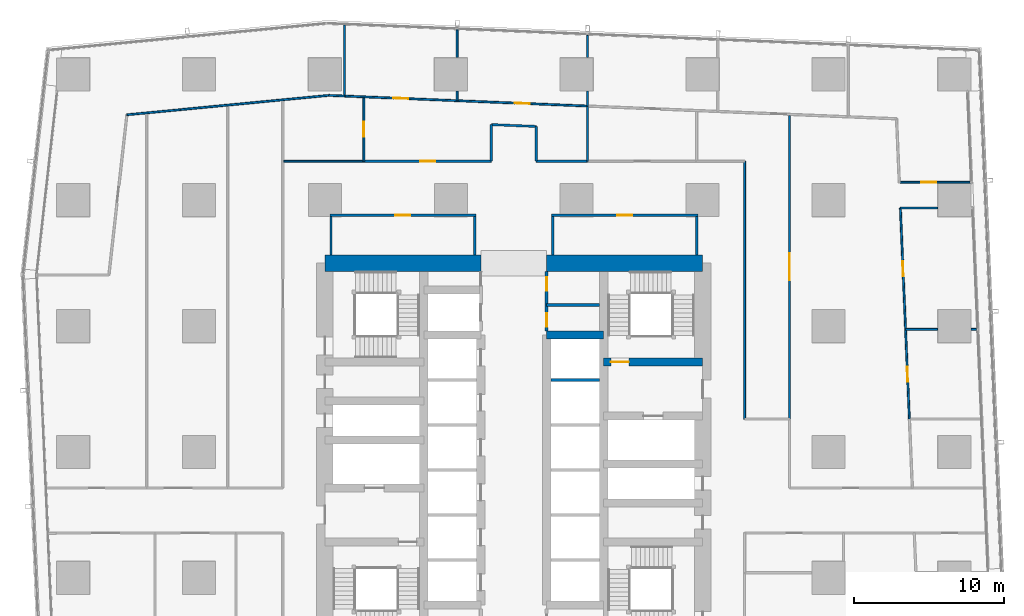
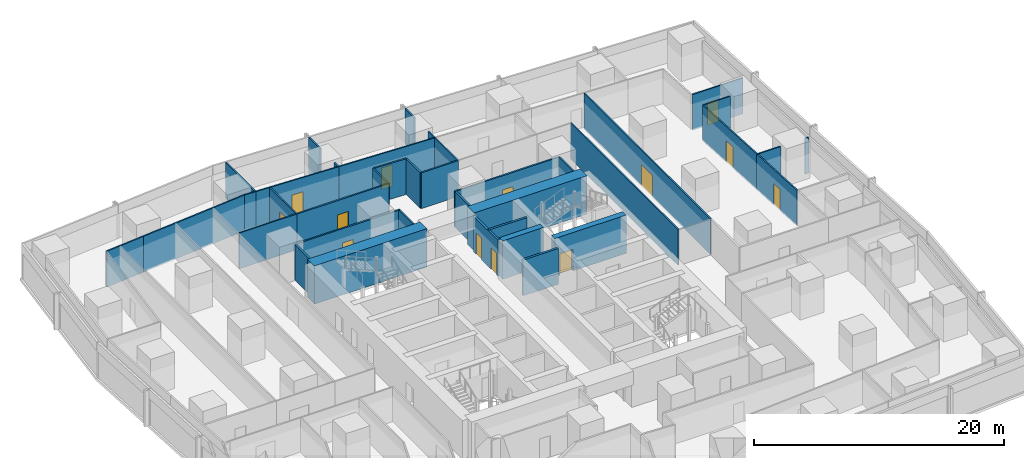
# One storey, part 34 of 44: 39 walls, 13 doors, 13 openings.
"""IFC4 building model written with IfcOpenShell, lengths in metres."""

from ifc_helpers import new_model, si_unit, direction, frame, frame_2d, origin, place, context, subcontext, project, spatial, rectangle, extrude, material, layer, layer_set, type_object, element, fill, save


model = new_model("IFC4")

# Units and contexts
model_context = context("Model", 3, precision=1e-05, world=origin(), true_north=direction((0.0, 1.0)))
body_context = subcontext(model_context, "Body", "Model", "MODEL_VIEW")
ifc_project = project(units=[si_unit("LENGTHUNIT", "METRE"), si_unit("AREAUNIT", "SQUARE_METRE"), si_unit("VOLUMEUNIT", "CUBIC_METRE"), si_unit("PLANEANGLEUNIT", "RADIAN"), si_unit("MASSUNIT", "GRAM", prefix="KILO")], contexts=[model_context])

# Site, building, storey
site_placement = place(None, origin())
site = spatial("IfcSite", under=ifc_project, at=site_placement, CompositionType="ELEMENT")
building_placement = place(site_placement, origin())
building = spatial("IfcBuilding", under=site, at=building_placement, Name="Rekha Terrace Tower", CompositionType="ELEMENT")
storey_placement = place(building_placement, frame((0.0, 0.0, 51.64990234375)))
storey = spatial("IfcBuildingStorey", under=building, at=storey_placement, Name="L12", CompositionType="ELEMENT", Elevation=51.64990234375)

# Wall
ifc_material_1 = material(Name="Concrete M70", Category="concrete")
ifc_layer_1 = layer(ifc_material_1, 0.550048828125)
ifc_layer_set_1 = layer_set([ifc_layer_1], Name="Concrete M70")
wall_type_1 = type_object("IfcWallType", Name="CI1 550 core internal shear wall", PredefinedType="SHEAR", material=ifc_layer_set_1)
wall_1_placement = place(storey_placement, frame((40.0, 41.39990234375, 0.0), z_axis=(0.0, 0.0, 1.0), x_axis=(1.0, 0.0, 0.0)))
element("IfcWall", 1, at=wall_1_placement, inside=storey, type_object=wall_type_1, Name="Core wall Y414E L12", PredefinedType="SHEAR", context=body_context, shape_type="SweptSolid", body=[
    extrude(rectangle(XDim=3.800048828125, YDim=0.550048828125, at=frame_2d((1.89990234375, 0.0))), origin(), (0.0, 0.0, 1.0), 3.75),
])

# Wall, opening, door
wall_2_placement = place(storey_placement, frame((43.800048828125, 39.60009765625, 0.0), z_axis=(0.0, 0.0, 1.0), x_axis=(1.0, 0.0, 0.0)))
wall_2 = element("IfcWall", 2, at=wall_2_placement, inside=storey, type_object=wall_type_1, Name="Core wall Y396E L12", PredefinedType="SHEAR", context=body_context, shape_type="SweptSolid", body=[
    extrude(rectangle(XDim=6.599853515625, YDim=0.550048828125, at=frame_2d((3.2998046875, 0.0))), origin(), (0.0, 0.0, 1.0), 3.75),
])
opening_1_placement = place(wall_2_placement, frame((0.47509765625, 0.0, 0.0)))
opening_1 = element("IfcOpeningElement", 3, at=opening_1_placement, cuts=wall_2, Name="Opening D1", PredefinedType="OPENING", context=body_context, shape_type="SweptSolid", body=[
    extrude(rectangle(XDim=1.199951171875, YDim=2.10009765625, at=frame_2d((0.60009765625, 1.050048828125))), frame((0.0, 0.284912109375, 0.0), z_axis=(0.0, -1.0, 0.0), x_axis=(1.0, 0.0, 0.0)), (0.0, 0.0, 1.0), 0.570068359375),
])
ifc_material_2 = material(Name="Steel fire door", Category="steel")
door_type_1 = type_object("IfcDoorType", Name="D1 1200x2100 stair fire door", OperationType="SINGLE_SWING_RIGHT", PredefinedType="DOOR", material=ifc_material_2)
door_1_placement = place(opening_1_placement, origin())
door_1 = element("IfcDoor", 4, at=door_1_placement, inside=storey, type_object=door_type_1, Name="Stair ST2 door L12", OperationType="SINGLE_SWING_RIGHT", OverallHeight=2.10009765625, OverallWidth=1.199951171875, PredefinedType="DOOR", context=body_context, shape_type="SweptSolid", body=[
    extrude(rectangle(XDim=1.199951171875, YDim=2.10009765625, at=frame_2d((0.60009765625, 1.050048828125))), frame((0.0, 0.02490234375, 0.0), z_axis=(0.0, -1.0, 0.0), x_axis=(1.0, 0.0, 0.0)), (0.0, 0.0, 1.0), 0.050048828125),
])
fill(opening_1, door_1)

# Walls
ifc_layer_2 = layer(ifc_material_1, 1.10009765625)
ifc_layer_set_2 = layer_set([ifc_layer_2], Name="Concrete M70")
wall_type_2 = type_object("IfcWallType", Name="SW1 1100 core outer shear wall", PredefinedType="SHEAR", material=ifc_layer_set_2)
wall_3_placement = place(storey_placement, frame((25.199951171875, 46.199951171875, 0.0), z_axis=(0.0, 0.0, 1.0), x_axis=(1.0, 0.0, 0.0)))
element("IfcWall", 5, at=wall_3_placement, inside=storey, type_object=wall_type_2, Name="Core wall N1 L12", PredefinedType="SHEAR", context=body_context, shape_type="SweptSolid", body=[
    extrude(rectangle(XDim=10.400146484375, YDim=1.10009765625, at=frame_2d((5.2001953125, 0.0))), origin(), (0.0, 0.0, 1.0), 3.75),
])
wall_4_placement = place(storey_placement, frame((40.0, 46.199951171875, 0.0), z_axis=(0.0, 0.0, 1.0), x_axis=(1.0, 0.0, 0.0)))
element("IfcWall", 6, at=wall_4_placement, inside=storey, type_object=wall_type_2, Name="Core wall N2 L12", PredefinedType="SHEAR", context=body_context, shape_type="SweptSolid", body=[
    extrude(rectangle(XDim=10.39990234375, YDim=1.10009765625, at=frame_2d((5.199951171875, 0.0))), origin(), (0.0, 0.0, 1.0), 3.75),
])

# Wall, opening, door
ifc_material_3 = material(Name="Concrete block masonry, 1 hour", Category="masonry")
ifc_layer_3 = layer(ifc_material_3, 0.14990234375)
ifc_layer_set_3 = layer_set([ifc_layer_3], Name="Concrete block masonry, 1 hour")
wall_type_3 = type_object("IfcWallType", Name="WP2 150 tenancy partition", PredefinedType="PARTITIONING", material=ifc_layer_set_3)
wall_5_placement = place(storey_placement, frame((40.324951171875, 49.39990234375, 0.0), z_axis=(0.0, 0.0, 1.0), x_axis=(1.0, 0.0, 0.0)))
wall_5 = element("IfcWall", 7, at=wall_5_placement, inside=storey, type_object=wall_type_3, Name="Women's WC wall L12", PredefinedType="PARTITIONING", context=body_context, shape_type="SweptSolid", body=[
    extrude(rectangle(XDim=9.75, YDim=0.14990234375, at=frame_2d((4.875, 0.0))), origin(), (0.0, 0.0, 1.0), 3.5),
])
opening_2_placement = place(wall_5_placement, frame((4.375, 0.0, 0.0)))
opening_2 = element("IfcOpeningElement", 8, at=opening_2_placement, cuts=wall_5, Name="Opening D3", PredefinedType="OPENING", context=body_context, shape_type="SweptSolid", body=[
    extrude(rectangle(XDim=1.0, YDim=2.10009765625, at=frame_2d((0.5, 1.050048828125))), frame((0.0, 0.0849609375, 0.0), z_axis=(0.0, -1.0, 0.0), x_axis=(1.0, 0.0, 0.0)), (0.0, 0.0, 1.0), 0.169921875),
])
ifc_material_4 = material(Name="Laminated timber fire door", Category="wood")
door_type_2 = type_object("IfcDoorType", Name="D3 1000x2100 WC door", OperationType="SINGLE_SWING_LEFT", PredefinedType="DOOR", material=ifc_material_4)
door_2_placement = place(opening_2_placement, origin())
door_2 = element("IfcDoor", 9, at=door_2_placement, inside=storey, type_object=door_type_2, Name="Door women's wc L12", OperationType="SINGLE_SWING_LEFT", OverallHeight=2.10009765625, OverallWidth=1.0, PredefinedType="DOOR", context=body_context, shape_type="SweptSolid", body=[
    extrude(rectangle(XDim=1.0, YDim=2.10009765625, at=frame_2d((0.5, 1.050048828125))), frame((0.0, 0.02490234375, 0.0), z_axis=(0.0, -1.0, 0.0), x_axis=(1.0, 0.0, 0.0)), (0.0, 0.0, 1.0), 0.050048828125),
])
fill(opening_2, door_2)

# Walls
for number, where, z_axis, x_axis, name in (
    (10, (40.39990234375, 46.75, 0.0), (0.0, 0.0, 1.0), (0.0, 1.0, 0.0), "Women's WC wall L12"),
    (11, (50.0, 46.75, 0.0), (0.0, 0.0, 1.0), (0.0, 1.0, 0.0), "Women's WC wall L12"),
):
    element("IfcWall", number, at=place(storey_placement, frame(where, z_axis=z_axis, x_axis=x_axis)), inside=storey, type_object=wall_type_3, Name=name, PredefinedType="PARTITIONING", context=body_context, shape_type="SweptSolid", body=[
        extrude(rectangle(XDim=2.574951171875, YDim=0.14990234375, at=frame_2d((1.28759765625, 0.0))), origin(), (0.0, 0.0, 1.0), 3.5),
    ])

# Wall, opening, door
wall_6_placement = place(storey_placement, frame((25.52490234375, 49.39990234375, 0.0), z_axis=(0.0, 0.0, 1.0), x_axis=(1.0, 0.0, 0.0)))
wall_6 = element("IfcWall", 12, at=wall_6_placement, inside=storey, type_object=wall_type_3, Name="Women's WC wall L12", PredefinedType="PARTITIONING", context=body_context, shape_type="SweptSolid", body=[
    extrude(rectangle(XDim=9.75, YDim=0.14990234375, at=frame_2d((4.875, 0.0))), origin(), (0.0, 0.0, 1.0), 3.5),
])
opening_3_placement = place(wall_6_placement, frame((4.375, 0.0, 0.0)))
opening_3 = element("IfcOpeningElement", 13, at=opening_3_placement, cuts=wall_6, Name="Opening D3", PredefinedType="OPENING", context=body_context, shape_type="SweptSolid", body=[
    extrude(rectangle(XDim=1.0, YDim=2.10009765625, at=frame_2d((0.5, 1.050048828125))), frame((0.0, 0.0849609375, 0.0), z_axis=(0.0, -1.0, 0.0), x_axis=(1.0, 0.0, 0.0)), (0.0, 0.0, 1.0), 0.169921875),
])
door_3_placement = place(opening_3_placement, origin())
door_3 = element("IfcDoor", 14, at=door_3_placement, inside=storey, type_object=door_type_2, Name="Door women's wc L12", OperationType="SINGLE_SWING_LEFT", OverallHeight=2.10009765625, OverallWidth=1.0, PredefinedType="DOOR", context=body_context, shape_type="SweptSolid", body=[
    extrude(rectangle(XDim=1.0, YDim=2.10009765625, at=frame_2d((0.5, 1.050048828125))), frame((0.0, 0.02490234375, 0.0), z_axis=(0.0, -1.0, 0.0), x_axis=(1.0, 0.0, 0.0)), (0.0, 0.0, 1.0), 0.050048828125),
])
fill(opening_3, door_3)

# Walls
for number, where, z_axis, x_axis, name in (
    (15, (25.60009765625, 46.75, 0.0), (0.0, 0.0, 1.0), (0.0, 1.0, 0.0), "Women's WC wall L12"),
    (16, (35.199951171875, 46.75, 0.0), (0.0, 0.0, 1.0), (0.0, 1.0, 0.0), "Women's WC wall L12"),
):
    element("IfcWall", number, at=place(storey_placement, frame(where, z_axis=z_axis, x_axis=x_axis)), inside=storey, type_object=wall_type_3, Name=name, PredefinedType="PARTITIONING", context=body_context, shape_type="SweptSolid", body=[
        extrude(rectangle(XDim=2.574951171875, YDim=0.14990234375, at=frame_2d((1.28759765625, 0.0))), origin(), (0.0, 0.0, 1.0), 3.5),
    ])
wall_7_placement = place(storey_placement, frame((42.718017578125, 53.0, 0.0), z_axis=(0.0, 0.0, 1.0), x_axis=(-1.0, 0.0, 0.0)))
element("IfcWall", 17, at=wall_7_placement, inside=storey, type_object=wall_type_3, Name="Partition L12-O4", PredefinedType="PARTITIONING", context=body_context, shape_type="SweptSolid", body=[
    extrude(rectangle(XDim=3.41796875, YDim=0.14990234375, at=frame_2d((1.708984375, 0.0))), origin(), (0.0, 0.0, 1.0), 3.5),
])
wall_8_placement = place(storey_placement, frame((39.300048828125, 53.0, 0.0), z_axis=(0.0, 0.0, 1.0), x_axis=(0.0, 1.0, 0.0)))
element("IfcWall", 18, at=wall_8_placement, inside=storey, type_object=wall_type_3, Name="Partition L12-O4", PredefinedType="PARTITIONING", context=body_context, shape_type="SweptSolid", body=[
    extrude(rectangle(XDim=2.319091796875, YDim=0.14990234375, at=frame_2d((1.15966796875, 0.0))), origin(), (0.0, 0.0, 1.0), 3.5),
])
wall_9_placement = place(storey_placement, frame((39.300048828125, 55.319091796875, 0.0), z_axis=(0.0, 0.0, 1.0), x_axis=(-0.999163245212, 0.040899992866, 0.0)))
element("IfcWall", 19, at=wall_9_placement, inside=storey, type_object=wall_type_3, Name="Partition L12-O4", PredefinedType="PARTITIONING", context=body_context, shape_type="SweptSolid", body=[
    extrude(rectangle(XDim=3.00244140625, YDim=0.14990234375, at=frame_2d((1.501220703125, 0.0))), origin(), (0.0, 0.0, 1.0), 3.5),
])
wall_10_placement = place(storey_placement, frame((36.300048828125, 55.44189453125, 0.0), z_axis=(0.0, 0.0, 1.0), x_axis=(0.0, -1.0, 0.0)))
element("IfcWall", 20, at=wall_10_placement, inside=storey, type_object=wall_type_3, Name="Partition L12-O4", PredefinedType="PARTITIONING", context=body_context, shape_type="SweptSolid", body=[
    extrude(rectangle(XDim=2.44189453125, YDim=0.14990234375, at=frame_2d((1.220947265625, 0.0))), origin(), (0.0, 0.0, 1.0), 3.5),
])

# Wall, opening, door
wall_11_placement = place(storey_placement, frame((36.300048828125, 53.0, 0.0), z_axis=(0.0, 0.0, 1.0), x_axis=(-1.0, 0.0, 0.0)))
wall_11 = element("IfcWall", 21, at=wall_11_placement, inside=storey, type_object=wall_type_3, Name="Partition L12-O4", PredefinedType="PARTITIONING", context=body_context, shape_type="SweptSolid", body=[
    extrude(rectangle(XDim=8.5, YDim=0.14990234375, at=frame_2d((4.25, 0.0))), origin(), (0.0, 0.0, 1.0), 3.5),
])
opening_4_placement = place(wall_11_placement, frame((3.75, 0.0, 0.0)))
opening_4 = element("IfcOpeningElement", 22, at=opening_4_placement, cuts=wall_11, Name="Opening D9", PredefinedType="OPENING", context=body_context, shape_type="SweptSolid", body=[
    extrude(rectangle(XDim=1.0, YDim=2.10009765625, at=frame_2d((0.5, 1.050048828125))), frame((0.0, 0.0849609375, 0.0), z_axis=(0.0, -1.0, 0.0), x_axis=(1.0, 0.0, 0.0)), (0.0, 0.0, 1.0), 0.169921875),
])
ifc_material_5 = material(Name="Timber fire door", Category="wood")
door_type_3 = type_object("IfcDoorType", Name="D9 1000x2100 office door", OperationType="SINGLE_SWING_LEFT", PredefinedType="DOOR", material=ifc_material_5)
door_4_placement = place(opening_4_placement, origin())
door_4 = element("IfcDoor", 23, at=door_4_placement, inside=storey, type_object=door_type_3, Name="Door open-plan office L12", OperationType="SINGLE_SWING_LEFT", OverallHeight=2.10009765625, OverallWidth=1.0, PredefinedType="DOOR", context=body_context, shape_type="SweptSolid", body=[
    extrude(rectangle(XDim=1.0, YDim=2.10009765625, at=frame_2d((0.5, 1.050048828125))), frame((0.0, 0.02490234375, 0.0), z_axis=(0.0, -1.0, 0.0), x_axis=(1.0, 0.0, 0.0)), (0.0, 0.0, 1.0), 0.050048828125),
])
fill(opening_4, door_4)

ifc_material_6 = material(Name="Two layers of fire-rated gypsum board each side on steel studs, acoustic quilt, 1 hour", Category="steel")
ifc_layer_4 = layer(ifc_material_6, 0.125)
ifc_layer_set_4 = layer_set([ifc_layer_4], Name="Two layers of fire-rated gypsum board each side on steel studs, acoustic quilt, 1 hour")
wall_type_4 = type_object("IfcWallType", Name="WP3 125 office partition", PredefinedType="PARTITIONING", material=ifc_layer_set_4)
wall_12_placement = place(storey_placement, frame((64.194091796875, 35.800048828125, 0.0), z_axis=(0.0, 0.0, 1.0), x_axis=(-0.042617787761, 0.999091449351, 0.0)))
wall_12 = element("IfcWall", 24, at=wall_12_placement, inside=storey, type_object=wall_type_4, Name="Partition L12-07", PredefinedType="PARTITIONING", context=body_context, shape_type="SweptSolid", body=[
    extrude(rectangle(XDim=5.986328125, YDim=0.125, at=frame_2d((2.9931640625, 0.0))), origin(), (0.0, 0.0, 1.0), 3.5),
])
opening_5_placement = place(wall_12_placement, frame((2.492919921875, 0.0, 0.0)))
opening_5 = element("IfcOpeningElement", 25, at=opening_5_placement, cuts=wall_12, Name="Opening D9", PredefinedType="OPENING", context=body_context, shape_type="SweptSolid", body=[
    extrude(rectangle(XDim=1.0, YDim=2.10009765625, at=frame_2d((0.5, 1.050048828125))), frame((0.0, 0.072509765625, 0.0), z_axis=(0.0, -1.0, 0.0), x_axis=(1.0, 0.0, 0.0)), (0.0, 0.0, 1.0), 0.14501953125),
])
door_5_placement = place(opening_5_placement, origin())
door_5 = element("IfcDoor", 26, at=door_5_placement, inside=storey, type_object=door_type_3, Name="Door office L12", OperationType="SINGLE_SWING_LEFT", OverallHeight=2.10009765625, OverallWidth=1.0, PredefinedType="DOOR", context=body_context, shape_type="SweptSolid", body=[
    extrude(rectangle(XDim=1.0, YDim=2.10009765625, at=frame_2d((0.5, 1.050048828125))), frame((0.0, 0.02490234375, 0.0), z_axis=(0.0, -1.0, 0.0), x_axis=(1.0, 0.0, 0.0)), (0.0, 0.0, 1.0), 0.050048828125),
])
fill(opening_5, door_5)

# Walls
wall_13_placement = place(storey_placement, frame((63.93896484375, 41.781005859375, 0.0), z_axis=(0.0, 0.0, 1.0), x_axis=(1.0, 0.0, 0.0)))
element("IfcWall", 27, at=wall_13_placement, inside=storey, type_object=wall_type_4, Name="Partition L12-07", PredefinedType="PARTITIONING", context=body_context, shape_type="SweptSolid", body=[
    extrude(rectangle(XDim=2.14111328125, YDim=0.125, at=frame_2d((1.070556640625, 0.0))), origin(), (0.0, 0.0, 1.0), 3.5),
])
wall_14_placement = place(storey_placement, frame((68.320068359375, 41.781005859375, 0.0), z_axis=(0.0, 0.0, 1.0), x_axis=(1.0, 0.0, 0.0)))
element("IfcWall", 28, at=wall_14_placement, inside=storey, type_object=wall_type_4, Name="Partition L12-07", PredefinedType="PARTITIONING", context=body_context, shape_type="SweptSolid", body=[
    extrude(rectangle(XDim=0.343017578125, YDim=0.125, at=frame_2d((0.17138671875, 0.0))), origin(), (0.0, 0.0, 1.0), 3.5),
])

# Wall, opening, door
wall_15_placement = place(storey_placement, frame((63.93896484375, 41.781982421875, 0.0), z_axis=(0.0, 0.0, 1.0), x_axis=(-0.042686820675, 0.999088502256, 0.0)))
wall_15 = element("IfcWall", 29, at=wall_15_placement, inside=storey, type_object=wall_type_4, Name="Partition L12-08", PredefinedType="PARTITIONING", context=body_context, shape_type="SweptSolid", body=[
    extrude(rectangle(XDim=8.104248046875, YDim=0.125, at=frame_2d((4.05224609375, 0.0))), origin(), (0.0, 0.0, 1.0), 3.5),
])
opening_6_placement = place(wall_15_placement, frame((3.552001953125, 0.0, 0.0)))
opening_6 = element("IfcOpeningElement", 30, at=opening_6_placement, cuts=wall_15, Name="Opening D9", PredefinedType="OPENING", context=body_context, shape_type="SweptSolid", body=[
    extrude(rectangle(XDim=1.0, YDim=2.10009765625, at=frame_2d((0.5, 1.050048828125))), frame((0.0, 0.072509765625, 0.0), z_axis=(0.0, -1.0, 0.0), x_axis=(1.0, 0.0, 0.0)), (0.0, 0.0, 1.0), 0.14501953125),
])
door_6_placement = place(opening_6_placement, origin())
door_6 = element("IfcDoor", 31, at=door_6_placement, inside=storey, type_object=door_type_3, Name="Door office L12", OperationType="SINGLE_SWING_LEFT", OverallHeight=2.10009765625, OverallWidth=1.0, PredefinedType="DOOR", context=body_context, shape_type="SweptSolid", body=[
    extrude(rectangle(XDim=1.0, YDim=2.10009765625, at=frame_2d((0.5, 1.050048828125))), frame((0.0, 0.02490234375, 0.0), z_axis=(0.0, -1.0, 0.0), x_axis=(1.0, 0.0, 0.0)), (0.0, 0.0, 1.0), 0.050048828125),
])
fill(opening_6, door_6)

# Wall
wall_16_placement = place(storey_placement, frame((63.593017578125, 49.87890625, 0.0), z_axis=(0.0, 0.0, 1.0), x_axis=(1.0, 0.0, 0.0)))
element("IfcWall", 32, at=wall_16_placement, inside=storey, type_object=wall_type_4, Name="Partition L12-08", PredefinedType="PARTITIONING", context=body_context, shape_type="SweptSolid", body=[
    extrude(rectangle(XDim=2.487060546875, YDim=0.125, at=frame_2d((1.24365234375, 0.0))), origin(), (0.0, 0.0, 1.0), 3.5),
])

# Wall, opening, door
wall_17_placement = place(storey_placement, frame((68.243896484375, 51.593017578125, 0.0), z_axis=(0.0, 0.0, 1.0), x_axis=(-1.0, 0.0, 0.0)))
wall_17 = element("IfcWall", 33, at=wall_17_placement, inside=storey, type_object=wall_type_4, Name="Partition L12-09", PredefinedType="PARTITIONING", context=body_context, shape_type="SweptSolid", body=[
    extrude(rectangle(XDim=4.661865234375, YDim=0.125, at=frame_2d((2.3310546875, 0.0))), origin(), (0.0, 0.0, 1.0), 3.5),
])
opening_7_placement = place(wall_17_placement, frame((2.260986328125, 0.0, 0.0)))
opening_7 = element("IfcOpeningElement", 34, at=opening_7_placement, cuts=wall_17, Name="Opening D9", PredefinedType="OPENING", context=body_context, shape_type="SweptSolid", body=[
    extrude(rectangle(XDim=1.0, YDim=2.10009765625, at=frame_2d((0.5, 1.050048828125))), frame((0.0, 0.072509765625, 0.0), z_axis=(0.0, -1.0, 0.0), x_axis=(1.0, 0.0, 0.0)), (0.0, 0.0, 1.0), 0.14501953125),
])
door_7_placement = place(opening_7_placement, origin())
door_7 = element("IfcDoor", 35, at=door_7_placement, inside=storey, type_object=door_type_3, Name="Door director's office L12", OperationType="SINGLE_SWING_LEFT", OverallHeight=2.10009765625, OverallWidth=1.0, PredefinedType="DOOR", context=body_context, shape_type="SweptSolid", body=[
    extrude(rectangle(XDim=1.0, YDim=2.10009765625, at=frame_2d((0.5, 1.050048828125))), frame((0.0, 0.02490234375, 0.0), z_axis=(0.0, -1.0, 0.0), x_axis=(1.0, 0.0, 0.0)), (0.0, 0.0, 1.0), 0.050048828125),
])
fill(opening_7, door_7)

# Walls
wall_18_placement = place(storey_placement, frame((42.718994140625, 56.678955078125, 0.0), z_axis=(0.0, 0.0, 1.0), x_axis=(0.0, 1.0, 0.0)))
element("IfcWall", 36, at=wall_18_placement, inside=storey, type_object=wall_type_4, Name="Partition L12-11", PredefinedType="PARTITIONING", context=body_context, shape_type="SweptSolid", body=[
    extrude(rectangle(XDim=1.0009765625, YDim=0.125, at=frame_2d((0.50048828125, 0.0))), origin(), (0.0, 0.0, 1.0), 3.5),
])
wall_19_placement = place(storey_placement, frame((42.718994140625, 59.919921875, 0.0), z_axis=(0.0, 0.0, 1.0), x_axis=(0.0, 1.0, 0.0)))
element("IfcWall", 37, at=wall_19_placement, inside=storey, type_object=wall_type_4, Name="Partition L12-11", PredefinedType="PARTITIONING", context=body_context, shape_type="SweptSolid", body=[
    extrude(rectangle(XDim=1.483154296875, YDim=0.125, at=frame_2d((0.74169921875, 0.0))), origin(), (0.0, 0.0, 1.0), 3.5),
])
wall_20_placement = place(storey_placement, frame((42.718994140625, 53.0, 0.0), z_axis=(0.0, 0.0, 1.0), x_axis=(0.0, 1.0, 0.0)))
element("IfcWall", 38, at=wall_20_placement, inside=storey, type_object=wall_type_4, Name="Partition L12-12", PredefinedType="PARTITIONING", context=body_context, shape_type="SweptSolid", body=[
    extrude(rectangle(XDim=3.678955078125, YDim=0.125, at=frame_2d((1.83935546875, 0.0))), origin(), (0.0, 0.0, 1.0), 3.5),
])

# Wall, opening, door
wall_21_placement = place(storey_placement, frame((56.199951171875, 56.06005859375, 0.0), z_axis=(0.0, 0.0, 1.0), x_axis=(0.0, -1.0, 0.0)))
wall_21 = element("IfcWall", 39, at=wall_21_placement, inside=storey, type_object=wall_type_4, Name="Partition L12-13", PredefinedType="PARTITIONING", context=body_context, shape_type="SweptSolid", body=[
    extrude(rectangle(XDim=20.260009765625, YDim=0.125, at=frame_2d((10.1298828125, 0.0))), origin(), (0.0, 0.0, 1.0), 3.5),
])
opening_8_placement = place(wall_21_placement, frame((9.197998046875, 0.0, 0.0)))
opening_8 = element("IfcOpeningElement", 40, at=opening_8_placement, cuts=wall_21, Name="Opening D8", PredefinedType="OPENING", context=body_context, shape_type="SweptSolid", body=[
    extrude(rectangle(XDim=1.800048828125, YDim=2.10009765625, at=frame_2d((0.89990234375, 1.050048828125))), frame((0.0, 0.072509765625, 0.0), z_axis=(0.0, -1.0, 0.0), x_axis=(1.0, 0.0, 0.0)), (0.0, 0.0, 1.0), 0.14501953125),
])
door_type_4 = type_object("IfcDoorType", Name="D8 1800x2100 double leaf door", OperationType="DOUBLE_DOOR_SINGLE_SWING", PredefinedType="DOOR", material=ifc_material_5)
door_8_placement = place(opening_8_placement, origin())
door_8 = element("IfcDoor", 41, at=door_8_placement, inside=storey, type_object=door_type_4, Name="Door wellness room L12", OperationType="DOUBLE_DOOR_SINGLE_SWING", OverallHeight=2.10009765625, OverallWidth=1.800048828125, PredefinedType="DOOR", context=body_context, shape_type="SweptSolid", body=[
    extrude(rectangle(XDim=1.800048828125, YDim=2.10009765625, at=frame_2d((0.89990234375, 1.050048828125))), frame((0.0, 0.02490234375, 0.0), z_axis=(0.0, -1.0, 0.0), x_axis=(1.0, 0.0, 0.0)), (0.0, 0.0, 1.0), 0.050048828125),
])
fill(opening_8, door_8)

# Walls
wall_22_placement = place(storey_placement, frame((53.199951171875, 35.800048828125, 0.0), z_axis=(0.0, 0.0, 1.0), x_axis=(0.0, 1.0, 0.0)))
element("IfcWall", 42, at=wall_22_placement, inside=storey, type_object=wall_type_4, Name="Partition L12-13", PredefinedType="PARTITIONING", context=body_context, shape_type="SweptSolid", body=[
    extrude(rectangle(XDim=17.199951171875, YDim=0.125, at=frame_2d((8.60009765625, 0.0))), origin(), (0.0, 0.0, 1.0), 3.5),
])
wall_23_placement = place(storey_placement, frame((34.02294921875, 57.037109375, 0.0), z_axis=(0.0, 0.0, 1.0), x_axis=(0.0, 1.0, 0.0)))
element("IfcWall", 43, at=wall_23_placement, inside=storey, type_object=wall_type_4, Name="Partition L12-14", PredefinedType="PARTITIONING", context=body_context, shape_type="SweptSolid", body=[
    extrude(rectangle(XDim=0.642822265625, YDim=0.125, at=frame_2d((0.3212890625, 0.0))), origin(), (0.0, 0.0, 1.0), 3.5),
])
wall_24_placement = place(storey_placement, frame((34.02294921875, 59.919921875, 0.0), z_axis=(0.0, 0.0, 1.0), x_axis=(0.0, 1.0, 0.0)))
element("IfcWall", 44, at=wall_24_placement, inside=storey, type_object=wall_type_4, Name="Partition L12-14", PredefinedType="PARTITIONING", context=body_context, shape_type="SweptSolid", body=[
    extrude(rectangle(XDim=1.841064453125, YDim=0.125, at=frame_2d((0.92041015625, 0.0))), origin(), (0.0, 0.0, 1.0), 3.5),
])

# Wall, opening, door
wall_25_placement = place(storey_placement, frame((42.718017578125, 56.678955078125, 0.0), z_axis=(0.0, 0.0, 1.0), x_axis=(-0.999152748928, 0.041155610913, 0.0)))
wall_25 = element("IfcWall", 45, at=wall_25_placement, inside=storey, type_object=wall_type_4, Name="Partition L12-14", PredefinedType="PARTITIONING", context=body_context, shape_type="SweptSolid", body=[
    extrude(rectangle(XDim=8.702392578125, YDim=0.125, at=frame_2d((4.35107421875, 0.0))), origin(), (0.0, 0.0, 1.0), 3.5),
])
opening_9_placement = place(wall_25_placement, frame((3.85107421875, 0.0, 0.0)))
opening_9 = element("IfcOpeningElement", 46, at=opening_9_placement, cuts=wall_25, Name="Opening D9", PredefinedType="OPENING", context=body_context, shape_type="SweptSolid", body=[
    extrude(rectangle(XDim=1.0, YDim=2.10009765625, at=frame_2d((0.5, 1.050048828125))), frame((0.0, 0.072509765625, 0.0), z_axis=(0.0, -1.0, 0.0), x_axis=(1.0, 0.0, 0.0)), (0.0, 0.0, 1.0), 0.14501953125),
])
door_9_placement = place(opening_9_placement, origin())
door_9 = element("IfcDoor", 47, at=door_9_placement, inside=storey, type_object=door_type_3, Name="Door office L12", OperationType="SINGLE_SWING_LEFT", OverallHeight=2.10009765625, OverallWidth=1.0, PredefinedType="DOOR", context=body_context, shape_type="SweptSolid", body=[
    extrude(rectangle(XDim=1.0, YDim=2.10009765625, at=frame_2d((0.5, 1.050048828125))), frame((0.0, 0.02490234375, 0.0), z_axis=(0.0, -1.0, 0.0), x_axis=(1.0, 0.0, 0.0)), (0.0, 0.0, 1.0), 0.050048828125),
])
fill(opening_9, door_9)

wall_26_placement = place(storey_placement, frame((34.02099609375, 57.037109375, 0.0), z_axis=(0.0, 0.0, 1.0), x_axis=(-0.999150378183, 0.041213126277, 0.0)))
wall_26 = element("IfcWall", 48, at=wall_26_placement, inside=storey, type_object=wall_type_4, Name="Partition L12-15", PredefinedType="PARTITIONING", context=body_context, shape_type="SweptSolid", body=[
    extrude(rectangle(XDim=7.517333984375, YDim=0.125, at=frame_2d((3.7587890625, 0.0))), origin(), (0.0, 0.0, 1.0), 3.5),
])
opening_10_placement = place(wall_26_placement, frame((3.259033203125, 0.0, 0.0)))
opening_10 = element("IfcOpeningElement", 49, at=opening_10_placement, cuts=wall_26, Name="Opening D9", PredefinedType="OPENING", context=body_context, shape_type="SweptSolid", body=[
    extrude(rectangle(XDim=1.0, YDim=2.10009765625, at=frame_2d((0.5, 1.050048828125))), frame((0.0, 0.072509765625, 0.0), z_axis=(0.0, -1.0, 0.0), x_axis=(1.0, 0.0, 0.0)), (0.0, 0.0, 1.0), 0.14501953125),
])
door_10_placement = place(opening_10_placement, origin())
door_10 = element("IfcDoor", 50, at=door_10_placement, inside=storey, type_object=door_type_3, Name="Door office L12", OperationType="SINGLE_SWING_LEFT", OverallHeight=2.10009765625, OverallWidth=1.0, PredefinedType="DOOR", context=body_context, shape_type="SweptSolid", body=[
    extrude(rectangle(XDim=1.0, YDim=2.10009765625, at=frame_2d((0.5, 1.050048828125))), frame((0.0, 0.02490234375, 0.0), z_axis=(0.0, -1.0, 0.0), x_axis=(1.0, 0.0, 0.0)), (0.0, 0.0, 1.0), 0.050048828125),
])
fill(opening_10, door_10)

# Walls
wall_27_placement = place(storey_placement, frame((26.510009765625, 57.346923828125, 0.0), z_axis=(0.0, 0.0, 1.0), x_axis=(0.0, 1.0, 0.0)))
element("IfcWall", 51, at=wall_27_placement, inside=storey, type_object=wall_type_4, Name="Partition L12-15", PredefinedType="PARTITIONING", context=body_context, shape_type="SweptSolid", body=[
    extrude(rectangle(XDim=4.72412109375, YDim=0.125, at=frame_2d((2.362060546875, 0.0))), origin(), (0.0, 0.0, 1.0), 3.5),
])
wall_28_placement = place(storey_placement, frame((26.509033203125, 57.346923828125, 0.0), z_axis=(0.0, 0.0, 1.0), x_axis=(-0.999118951292, 0.041968097049, 0.0)))
element("IfcWall", 52, at=wall_28_placement, inside=storey, type_object=wall_type_4, Name="Partition L12-16", PredefinedType="PARTITIONING", context=body_context, shape_type="SweptSolid", body=[
    extrude(rectangle(XDim=1.052978515625, YDim=0.125, at=frame_2d((0.5263671875, 0.0))), origin(), (0.0, 0.0, 1.0), 3.5),
])
wall_29_placement = place(storey_placement, frame((25.45703125, 57.39111328125, 0.0), z_axis=(0.0, 0.0, 1.0), x_axis=(-0.995401503094, -0.095790644833, 0.0)))
element("IfcWall", 53, at=wall_29_placement, inside=storey, type_object=wall_type_4, Name="Partition L12-16", PredefinedType="PARTITIONING", context=body_context, shape_type="SweptSolid", body=[
    extrude(rectangle(XDim=9.9296875, YDim=0.125, at=frame_2d((4.96484375, 0.0))), origin(), (0.0, 0.0, 1.0), 3.5),
])
wall_30_placement = place(storey_placement, frame((15.572021484375, 56.43994140625, 0.0), z_axis=(0.0, 0.0, 1.0), x_axis=(-0.995420457926, -0.095593472275, 0.0)))
element("IfcWall", 54, at=wall_30_placement, inside=storey, type_object=wall_type_4, Name="Partition L12-17", PredefinedType="PARTITIONING", context=body_context, shape_type="SweptSolid", body=[
    extrude(rectangle(XDim=3.5986328125, YDim=0.125, at=frame_2d((1.79931640625, 0.0))), origin(), (0.0, 0.0, 1.0), 3.5),
])

# Wall, opening, door
wall_31_placement = place(storey_placement, frame((27.800048828125, 57.23095703125, 0.0), z_axis=(0.0, 0.0, 1.0), x_axis=(0.0, -1.0, 0.0)))
wall_31 = element("IfcWall", 55, at=wall_31_placement, inside=storey, type_object=wall_type_4, Name="Partition L12-20", PredefinedType="PARTITIONING", context=body_context, shape_type="SweptSolid", body=[
    extrude(rectangle(XDim=4.23095703125, YDim=0.125, at=frame_2d((2.115478515625, 0.0))), origin(), (0.0, 0.0, 1.0), 3.5),
])
opening_11_placement = place(wall_31_placement, frame((1.583984375, 0.0, 0.0)))
opening_11 = element("IfcOpeningElement", 56, at=opening_11_placement, cuts=wall_31, Name="Opening D9", PredefinedType="OPENING", context=body_context, shape_type="SweptSolid", body=[
    extrude(rectangle(XDim=1.0, YDim=2.10009765625, at=frame_2d((0.5, 1.050048828125))), frame((0.0, 0.072509765625, 0.0), z_axis=(0.0, -1.0, 0.0), x_axis=(1.0, 0.0, 0.0)), (0.0, 0.0, 1.0), 0.14501953125),
])
door_11_placement = place(opening_11_placement, origin())
door_11 = element("IfcDoor", 57, at=door_11_placement, inside=storey, type_object=door_type_3, Name="Door meeting room L12", OperationType="SINGLE_SWING_LEFT", OverallHeight=2.10009765625, OverallWidth=1.0, PredefinedType="DOOR", context=body_context, shape_type="SweptSolid", body=[
    extrude(rectangle(XDim=1.0, YDim=2.10009765625, at=frame_2d((0.5, 1.050048828125))), frame((0.0, 0.02490234375, 0.0), z_axis=(0.0, -1.0, 0.0), x_axis=(1.0, 0.0, 0.0)), (0.0, 0.0, 1.0), 0.050048828125),
])
fill(opening_11, door_11)

# Walls
wall_32_placement = place(storey_placement, frame((27.800048828125, 53.0, 0.0), z_axis=(0.0, 0.0, 1.0), x_axis=(-1.0, 0.0, 0.0)))
element("IfcWall", 58, at=wall_32_placement, inside=storey, type_object=wall_type_4, Name="Partition L12-20", PredefinedType="PARTITIONING", context=body_context, shape_type="SweptSolid", body=[
    extrude(rectangle(XDim=5.338134765625, YDim=0.125, at=frame_2d((2.6689453125, 0.0))), origin(), (0.0, 0.0, 1.0), 3.5),
])
ifc_material_7 = material(Name="Solid concrete block masonry, 2 hour", Category="masonry")
ifc_layer_5 = layer(ifc_material_7, 0.199951171875)
ifc_layer_set_5 = layer_set([ifc_layer_5], Name="Solid concrete block masonry, 2 hour")
wall_type_5 = type_object("IfcWallType", Name="WS1 200 stair and shaft enclosure", PredefinedType="PARTITIONING", material=ifc_layer_set_5)
wall_33_placement = place(storey_placement, frame((40.27490234375, 38.39990234375, 0.0), z_axis=(0.0, 0.0, 1.0), x_axis=(1.0, 0.0, 0.0)))
element("IfcWall", 59, at=wall_33_placement, inside=storey, type_object=wall_type_5, Name="Lift shaft divider L12", PredefinedType="PARTITIONING", context=body_context, shape_type="SweptSolid", body=[
    extrude(rectangle(XDim=3.25, YDim=0.199951171875, at=frame_2d((1.625, 0.0))), origin(), (0.0, 0.0, 1.0), 3.5),
])

# Wall, openings, doors
wall_34_placement = place(storey_placement, frame((40.0, 41.675048828125, 0.0), z_axis=(0.0, 0.0, 1.0), x_axis=(0.0, 1.0, 0.0)))
wall_34 = element("IfcWall", 60, at=wall_34_placement, inside=storey, type_object=wall_type_5, Name="Core partition elec L12", PredefinedType="PARTITIONING", context=body_context, shape_type="SweptSolid", body=[
    extrude(rectangle(XDim=3.974853515625, YDim=0.199951171875, at=frame_2d((1.9873046875, 0.0))), origin(), (0.0, 0.0, 1.0), 3.5),
])
opening_12_placement = place(wall_34_placement, frame((2.675048828125, 0.0, 0.0)))
opening_12 = element("IfcOpeningElement", 61, at=opening_12_placement, cuts=wall_34, Name="Opening D5", PredefinedType="OPENING", context=body_context, shape_type="SweptSolid", body=[
    extrude(rectangle(XDim=0.89990234375, YDim=2.10009765625, at=frame_2d((0.449951171875, 1.050048828125))), frame((0.0, 0.10986328125, 0.0), z_axis=(0.0, -1.0, 0.0), x_axis=(1.0, 0.0, 0.0)), (0.0, 0.0, 1.0), 0.219970703125),
])
opening_13_placement = place(wall_34_placement, frame((0.27490234375, 0.0, 0.0)))
opening_13 = element("IfcOpeningElement", 62, at=opening_13_placement, cuts=wall_34, Name="Opening D5", PredefinedType="OPENING", context=body_context, shape_type="SweptSolid", body=[
    extrude(rectangle(XDim=0.89990234375, YDim=2.10009765625, at=frame_2d((0.449951171875, 1.050048828125))), frame((0.0, 0.10986328125, 0.0), z_axis=(0.0, -1.0, 0.0), x_axis=(1.0, 0.0, 0.0)), (0.0, 0.0, 1.0), 0.219970703125),
])
door_type_5 = type_object("IfcDoorType", Name="D5 900x2100 riser access door", OperationType="SINGLE_SWING_LEFT", PredefinedType="DOOR", material=ifc_material_2)
door_12_placement = place(opening_12_placement, origin())
door_12 = element("IfcDoor", 63, at=door_12_placement, inside=storey, type_object=door_type_5, Name="Door electrical room L12", OperationType="SINGLE_SWING_LEFT", OverallHeight=2.10009765625, OverallWidth=0.89990234375, PredefinedType="DOOR", context=body_context, shape_type="SweptSolid", body=[
    extrude(rectangle(XDim=0.89990234375, YDim=2.10009765625, at=frame_2d((0.449951171875, 1.050048828125))), frame((0.0, 0.02490234375, 0.0), z_axis=(0.0, -1.0, 0.0), x_axis=(1.0, 0.0, 0.0)), (0.0, 0.0, 1.0), 0.050048828125),
])
fill(opening_12, door_12)
door_13_placement = place(opening_13_placement, origin())
door_13 = element("IfcDoor", 64, at=door_13_placement, inside=storey, type_object=door_type_5, Name="Door records store L12", OperationType="SINGLE_SWING_LEFT", OverallHeight=2.10009765625, OverallWidth=0.89990234375, PredefinedType="DOOR", context=body_context, shape_type="SweptSolid", body=[
    extrude(rectangle(XDim=0.89990234375, YDim=2.10009765625, at=frame_2d((0.449951171875, 1.050048828125))), frame((0.0, 0.02490234375, 0.0), z_axis=(0.0, -1.0, 0.0), x_axis=(1.0, 0.0, 0.0)), (0.0, 0.0, 1.0), 0.050048828125),
])
fill(opening_13, door_13)

# Wall
wall_35_placement = place(storey_placement, frame((40.0, 43.39990234375, 0.0), z_axis=(0.0, 0.0, 1.0), x_axis=(1.0, 0.0, 0.0)))
element("IfcWall", 65, at=wall_35_placement, inside=storey, type_object=wall_type_5, Name="Core partition elx L12", PredefinedType="PARTITIONING", context=body_context, shape_type="SweptSolid", body=[
    extrude(rectangle(XDim=3.52490234375, YDim=0.199951171875, at=frame_2d((1.762451171875, 0.0))), origin(), (0.0, 0.0, 1.0), 3.5),
])

save(model, "model.ifc")
